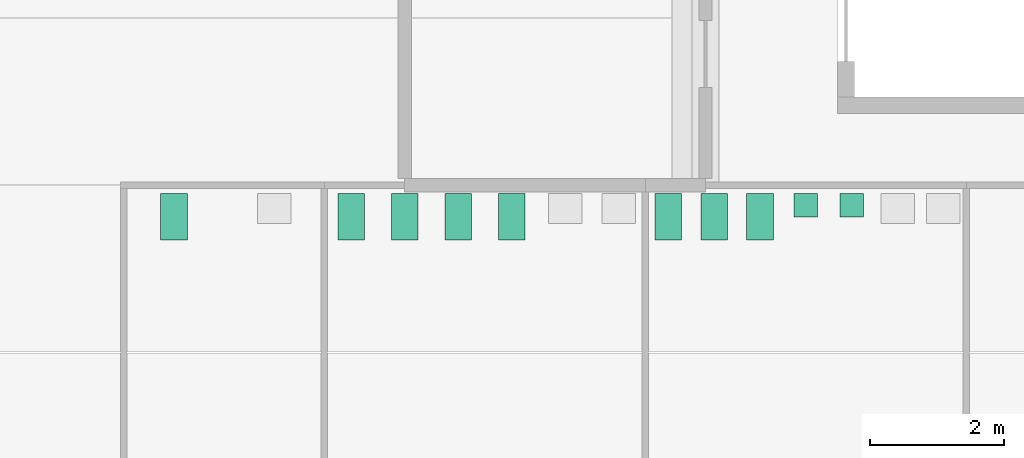
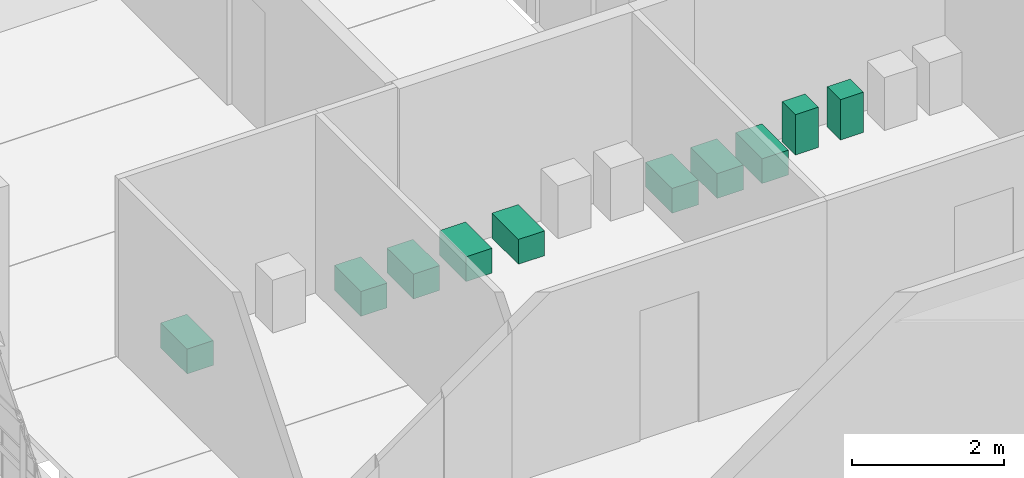
# One storey, part 57 of 57: 10 sanitary terminals.
"""IFC4 building model written with IfcOpenShell, lengths in metres."""

from ifc_helpers import new_model, si_unit, direction, frame, origin, origin_2d, place, context, subcontext, project, spatial, rectangle, extrude, material, type_object, element, save


model = new_model("IFC4")

# Units and contexts
model_context = context("Model", 3, precision=1e-05, world=origin(), true_north=direction((0.0, 1.0)))
body_context = subcontext(model_context, "Body", "Model", "MODEL_VIEW")
ifc_project = project(units=[si_unit("LENGTHUNIT", "METRE"), si_unit("AREAUNIT", "SQUARE_METRE"), si_unit("VOLUMEUNIT", "CUBIC_METRE"), si_unit("PLANEANGLEUNIT", "RADIAN"), si_unit("MASSUNIT", "GRAM", prefix="KILO")], contexts=[model_context])

# Site, building, storey
site_placement = place(None, origin())
site = spatial("IfcSite", under=ifc_project, at=site_placement, CompositionType="ELEMENT")
building_placement = place(site_placement, origin())
building = spatial("IfcBuilding", under=site, at=building_placement, Name="Cour d'Honneur Mobility Palace", CompositionType="ELEMENT")
storey_placement = place(building_placement, frame((0.0, 0.0, 8.199951171875)))
storey = spatial("IfcBuildingStorey", under=building, at=storey_placement, Name="L02", CompositionType="ELEMENT", Elevation=8.199951171875)

# Sanitary terminals
ifc_material_1 = material(Name="Vitreous china")
sanitary_terminal_type_1 = type_object("IfcSanitaryTerminalType", Name="Urinal", PredefinedType="URINAL", material=ifc_material_1)
for number, where, z_axis, x_axis, name in (
    (1, (157.5, 107.10498046875, 0.0), (0.0, 0.0, 1.0), (1.0, 0.0, 0.0), "Urinal WC Men East"),
    (2, (158.185791015625, 107.10498046875, 0.0), (0.0, 0.0, 1.0), (1.0, 0.0, 0.0), "Urinal WC Men East"),
):
    element("IfcSanitaryTerminal", number, at=place(storey_placement, frame(where, z_axis=z_axis, x_axis=x_axis)), inside=storey, type_object=sanitary_terminal_type_1, Name=name, PredefinedType="URINAL", context=body_context, shape_type="SweptSolid", body=[
        extrude(rectangle(XDim=0.35009765625, YDim=0.35009765625, at=origin_2d()), origin(), (0.0, 0.0, 1.0), 0.64990234375),
    ])
ifc_material_2 = material(Name="Vitreous china")
sanitary_terminal_type_2 = type_object("IfcSanitaryTerminalType", Name="Water closet", PredefinedType="WCSEAT", material=ifc_material_2)
for number, where, z_axis, x_axis, name in (
    (3, (155.44287109375, 106.929931640625, 0.0), (0.0, 0.0, 1.0), (1.0, 0.0, 0.0), "Water closet WC Men East"),
    (4, (156.128662109375, 106.929931640625, 0.0), (0.0, 0.0, 1.0), (1.0, 0.0, 0.0), "Water closet WC Men East"),
    (5, (156.814208984375, 106.929931640625, 0.0), (0.0, 0.0, 1.0), (1.0, 0.0, 0.0), "Water closet WC Men East"),
    (6, (150.699951171875, 106.929931640625, 0.0), (0.0, 0.0, 1.0), (1.0, 0.0, 0.0), "Water closet WC Women East"),
    (7, (151.5, 106.929931640625, 0.0), (0.0, 0.0, 1.0), (1.0, 0.0, 0.0), "Water closet WC Women East"),
    (8, (152.300048828125, 106.929931640625, 0.0), (0.0, 0.0, 1.0), (1.0, 0.0, 0.0), "Water closet WC Women East"),
    (9, (153.10009765625, 106.929931640625, 0.0), (0.0, 0.0, 1.0), (1.0, 0.0, 0.0), "Water closet WC Women East"),
    (10, (148.050048828125, 106.929931640625, 0.0), (0.0, 0.0, 1.0), (1.0, 0.0, 0.0), "Water closet Accessible WC East"),
):
    element("IfcSanitaryTerminal", number, at=place(storey_placement, frame(where, z_axis=z_axis, x_axis=x_axis)), inside=storey, type_object=sanitary_terminal_type_2, Name=name, PredefinedType="WCSEAT", context=body_context, shape_type="SweptSolid", body=[
        extrude(rectangle(XDim=0.39990234375, YDim=0.699951171875, at=origin_2d()), origin(), (0.0, 0.0, 1.0), 0.39990234375),
    ])

save(model, "model.ifc")
